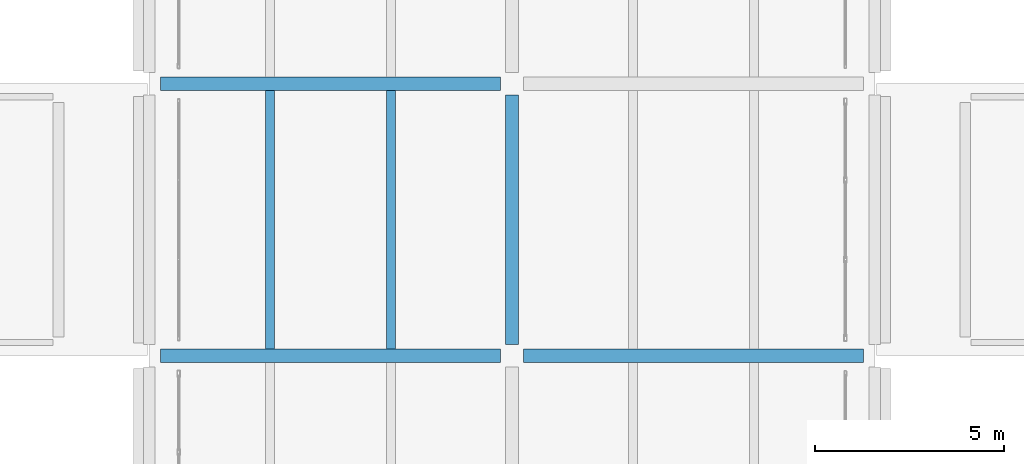
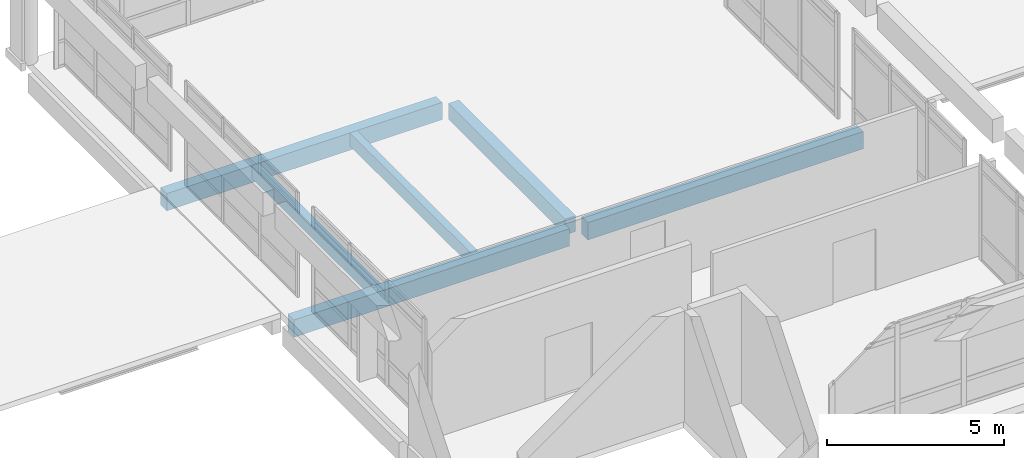
# One storey, part 66 of 180: 6 beams.
"""IFC4 building model written with IfcOpenShell, lengths in metres."""

import ifcopenshell
import ifcopenshell.guid

model = None  # the IFC model being written
_history = None  # IfcOwnerHistory: only IFC2X3 demands one
_inside = {}  # id of a spatial element -> (the spatial element, [elements in it])
_under = {}  # id of a project, library or spatial element -> (it, [spatial elements below it])
_declared = {}  # id of a project -> (the project, [libraries it declares])
_typed = {}  # id of a type object -> (the type object, [elements of that type])
_made_of = {}  # id of a material, layer set ... -> (it, [elements and type objects made of it])


def new_model(schema):
    """Start an empty IFC model of exactly this schema.

    Asked for "IFC4X3", IfcOpenShell would pick the latest addendum, in which some entities
    have other attributes; the version numbers below select the first issue.
    IFC2X3 requires an IfcOwnerHistory on every rooted entity: one is made here for all.
    """
    global model, _history
    if schema == "IFC4X3":
        model = ifcopenshell.file(schema_version=(4, 3, 0, 0))
    else:
        model = ifcopenshell.file(schema=schema)
    _inside.clear()
    _under.clear()
    _declared.clear()
    _typed.clear()
    _made_of.clear()
    _history = None
    if model.schema == "IFC2X3":
        org = make("IfcOrganization", Name="unknown")
        user = make(
            "IfcPersonAndOrganization",
            ThePerson=make("IfcPerson", FamilyName="unknown"),
            TheOrganization=org,
        )
        app = make(
            "IfcApplication",
            ApplicationDeveloper=org,
            Version="unknown",
            ApplicationFullName="unknown",
            ApplicationIdentifier="unknown",
        )
        _history = make(
            "IfcOwnerHistory",
            OwningUser=user,
            OwningApplication=app,
            ChangeAction="ADDED",
            CreationDate=0,
        )
    return model


def make(cls, **values):
    """One entity of the class cls with the attributes given. An attribute that is None is left unset."""
    return model.create_entity(
        cls, **{name: value for name, value in values.items() if value is not None}
    )


def rooted(cls, **values):
    """An entity with a GlobalId (a new one), such as an element, a storey or a relation."""
    return make(cls, GlobalId=ifcopenshell.guid.new(), OwnerHistory=_history, **values)


def si_unit(unit_type, name, prefix=None):
    """IfcSIUnit, for example si_unit("LENGTHUNIT", "METRE", prefix="MILLI")."""
    return make("IfcSIUnit", UnitType=unit_type, Prefix=prefix, Name=name)


def assignment(units):
    """IfcUnitAssignment: the units of a project."""
    return None if units is None else make("IfcUnitAssignment", Units=units)


def point(xyz):
    """IfcCartesianPoint."""
    return None if xyz is None else make("IfcCartesianPoint", Coordinates=xyz)


def direction(xyz):
    """IfcDirection."""
    return None if xyz is None else make("IfcDirection", DirectionRatios=xyz)


def frame(location, z_axis=None, x_axis=None):
    """IfcAxis2Placement3D, a coordinate frame: its origin and axes. An axis left out is left unset."""
    return make(
        "IfcAxis2Placement3D",
        Location=point(location),
        Axis=direction(z_axis),
        RefDirection=direction(x_axis),
    )


def frame_2d(location, x_axis=None):
    """IfcAxis2Placement2D, a coordinate frame in the plane: its origin and x axis."""
    return make(
        "IfcAxis2Placement2D", Location=point(location), RefDirection=direction(x_axis)
    )


def origin():
    """The frame at (0, 0, 0) with its axes left unset."""
    return frame((0.0, 0.0, 0.0))


def origin_2d():
    """The frame at (0, 0) in the plane with its x axis left unset."""
    return frame_2d((0.0, 0.0))


def place(relative_to, where):
    """IfcLocalPlacement: puts the frame where relative to a parent placement (None: the world)."""
    return make(
        "IfcLocalPlacement", PlacementRelTo=relative_to, RelativePlacement=where
    )


def context(
    kind, dimensions, precision=None, world=None, true_north=None, identifier=None
):
    """IfcGeometricRepresentationContext, for example the 3D "Model" context."""
    return make(
        "IfcGeometricRepresentationContext",
        ContextIdentifier=identifier,
        ContextType=kind,
        CoordinateSpaceDimension=dimensions,
        Precision=precision,
        WorldCoordinateSystem=world,
        TrueNorth=true_north,
    )


def subcontext(parent, identifier, kind, view, scale=None):
    """IfcGeometricRepresentationSubContext, for example "Body" below "Model"."""
    return make(
        "IfcGeometricRepresentationSubContext",
        ContextIdentifier=identifier,
        ContextType=kind,
        ParentContext=parent,
        TargetScale=scale,
        TargetView=view,
    )


def project(units=None, contexts=None):
    """IfcProject with its units and contexts."""
    return rooted(
        "IfcProject",
        Name="project",
        RepresentationContexts=contexts,
        UnitsInContext=assignment(units),
    )


def spatial(cls, under=None, at=None, **own):
    """A site, building, storey or space (cls), placed at a placement, below another one or the project."""
    s = rooted(cls, ObjectPlacement=at, **own)
    if under is not None:
        _under.setdefault(under.id(), (under, []))[1].append(s)
    return s


def profile(cls, at=None, kind="AREA", **sizes):
    """A parametric profile (cls). Its sizes go by their IFC names, for example OverallWidth=200.0."""
    return make(cls, ProfileType=kind, Position=at, **sizes)


def rectangle(**sizes):
    """IfcRectangleProfileDef."""
    return profile("IfcRectangleProfileDef", **sizes)


def extrude(swept, where, along, depth):
    """IfcExtrudedAreaSolid: the profile swept, set in the frame where, extruded along a direction by depth."""
    return make(
        "IfcExtrudedAreaSolid",
        SweptArea=swept,
        Position=where,
        ExtrudedDirection=direction(along),
        Depth=depth,
    )


def shape(context_of_items, identifier, shape_type, items):
    """IfcShapeRepresentation: the items that make up one representation, for example the "Body"."""
    return make(
        "IfcShapeRepresentation",
        ContextOfItems=context_of_items,
        RepresentationIdentifier=identifier,
        RepresentationType=shape_type,
        Items=items,
    )


def material(Name=None, Category=None):
    """IfcMaterial."""
    return make("IfcMaterial", Name=Name, Category=Category)


def material_profile(
    of_material, cross_section, Name=None, Category=None, Priority=None
):
    """IfcMaterialProfile: a cross section and its material."""
    return make(
        "IfcMaterialProfile",
        Name=Name,
        Material=of_material,
        Profile=cross_section,
        Priority=Priority,
        Category=Category,
    )


def profile_set(profiles, Name=None, composite=None):
    """IfcMaterialProfileSet."""
    return make(
        "IfcMaterialProfileSet",
        Name=Name,
        MaterialProfiles=profiles,
        CompositeProfile=composite,
    )


def made_of(thing, what):
    """Note that an element or type object is made of a material, layer set ...; save() writes the relation."""
    if what is not None:
        _made_of.setdefault(what.id(), (what, []))[1].append(thing)
    return thing


def type_object(cls, material=None, **own):
    """A type object (cls), such as IfcWallType, which elements share."""
    return made_of(rooted(cls, **own), material)


def element(
    cls,
    number,
    at=None,
    inside=None,
    cuts=None,
    type_object=None,
    material=None,
    context=None,
    identifier="Body",
    shape_type=None,
    held_by="IfcProductDefinitionShape",
    body=None,
    shapes=None,
    **own,
):
    """One element of the class cls, such as IfcWall. Its Tag is "e" and its number.

    at: its placement. inside: the storey or other place that contains it. cuts: it is an
    opening in that element (IfcRelVoidsElement). A single representation is given by context,
    identifier, shape_type and body (its items); several are given by shapes. held_by: the class
    of the entity that holds the representations. save() writes the other relations.
    """
    e = rooted(cls, Tag="e%d" % number, ObjectPlacement=at, **own)
    if body is not None:
        shapes = [shape(context, identifier, shape_type, body)]
    if shapes is not None:
        e.Representation = make(held_by, Representations=shapes)
    if inside is not None:
        _inside.setdefault(inside.id(), (inside, []))[1].append(e)
    if cuts is not None:
        rooted(
            "IfcRelVoidsElement", RelatingBuildingElement=cuts, RelatedOpeningElement=e
        )
    if type_object is not None:
        _typed.setdefault(type_object.id(), (type_object, []))[1].append(e)
    return made_of(e, material)


def aggregate(whole, parts):
    """IfcRelAggregates: a whole, such as a stair, and the parts it consists of."""
    return rooted("IfcRelAggregates", RelatingObject=whole, RelatedObjects=parts)


def save(model, path):
    """Write the relations noted so far, then the file.

    IfcRelAggregates (storeys below a building ...), IfcRelContainedInSpatialStructure (elements
    in a storey), IfcRelDefinesByType, IfcRelAssociatesMaterial and IfcRelDeclares: one each for
    every whole, place, type object, material and project.
    """
    for whole, parts in _under.values():
        aggregate(whole, parts)
    for where, things in _inside.values():
        rooted(
            "IfcRelContainedInSpatialStructure",
            RelatedElements=things,
            RelatingStructure=where,
        )
    for kind, things in _typed.values():
        rooted("IfcRelDefinesByType", RelatedObjects=things, RelatingType=kind)
    for what, things in _made_of.values():
        rooted("IfcRelAssociatesMaterial", RelatedObjects=things, RelatingMaterial=what)
    for by, libraries in _declared.values():
        rooted("IfcRelDeclares", RelatingContext=by, RelatedDefinitions=libraries)
    model.write(path)


model = new_model("IFC4")

# Units and contexts
model_context = context("Model", 3, precision=1e-05, world=origin(), true_north=direction((0.0, 1.0)))
body_context = subcontext(model_context, "Body", "Model", "MODEL_VIEW")
ifc_project = project(units=[si_unit("LENGTHUNIT", "METRE"), si_unit("AREAUNIT", "SQUARE_METRE"), si_unit("VOLUMEUNIT", "CUBIC_METRE"), si_unit("PLANEANGLEUNIT", "RADIAN"), si_unit("MASSUNIT", "GRAM", prefix="KILO")], contexts=[model_context])

# Site, building, storey
site_placement = place(None, origin())
site = spatial("IfcSite", under=ifc_project, at=site_placement, CompositionType="ELEMENT")
building_placement = place(site_placement, origin())
building = spatial("IfcBuilding", under=site, at=building_placement, Name="Asteropetra Specialist Clinic", CompositionType="ELEMENT")
storey_placement = place(building_placement, frame((0.0, 0.0, 4.419921875)))
storey = spatial("IfcBuildingStorey", under=building, at=storey_placement, Name="L01", CompositionType="ELEMENT", Elevation=4.419921875)

# Beams
ifc_material_1 = material(Name="Concrete C35/45", Category="concrete")
ifc_material_profile_1 = material_profile(ifc_material_1, rectangle(XDim=0.35009765625, YDim=0.550048828125, at=origin_2d()), Name="RCB 350x550")
ifc_profile_set_1 = profile_set([ifc_material_profile_1], Name="Concrete C35/45")
beam_type_1 = type_object("IfcBeamType", Name="BM-RC350x550", PredefinedType="BEAM", material=ifc_profile_set_1)
beam_placement = place(storey_placement, frame((86.39990234375, 48.300048828125, -0.534912109375), z_axis=(0.0, 1.0, 0.0), x_axis=(-1.0, 0.0, 0.0)))
element("IfcBeam", 1, at=beam_placement, inside=storey, type_object=beam_type_1, Name="Beam BBM10-0787", PredefinedType="BEAM", context=body_context, shape_type="SweptSolid", body=[
    extrude(rectangle(XDim=0.35009765625, YDim=0.550048828125, at=origin_2d()), origin(), (0.0, 0.0, 1.0), 6.599853515625),
])
ifc_material_2 = material(Name="Concrete C35/45", Category="concrete")
ifc_material_profile_2 = material_profile(ifc_material_2, rectangle(XDim=0.35009765625, YDim=0.60009765625, at=origin_2d()), Name="RCB 350x600")
ifc_profile_set_2 = profile_set([ifc_material_profile_2], Name="Concrete C35/45")
beam_type_2 = type_object("IfcBeamType", Name="BM-RC350x600", PredefinedType="BEAM", material=ifc_profile_set_2)
for number, where, z_axis, x_axis, name in (
    (2, (77.10009765625, 48.0, -0.559814453125), (1.0, 0.0, 0.0), (0.0, 1.0, 0.0), "Beam BBM09-0768"),
    (3, (86.699951171875, 48.0, -0.559814453125), (1.0, 0.0, 0.0), (0.0, 1.0, 0.0), "Beam BBM09-0769"),
    (4, (77.10009765625, 55.199951171875, -0.559814453125), (1.0, 0.0, 0.0), (0.0, 1.0, 0.0), "Beam BBM09-0770"),
):
    element("IfcBeam", number, at=place(storey_placement, frame(where, z_axis=z_axis, x_axis=x_axis)), inside=storey, type_object=beam_type_2, Name=name, PredefinedType="BEAM", context=body_context, shape_type="SweptSolid", body=[
        extrude(rectangle(XDim=0.35009765625, YDim=0.60009765625, at=origin_2d()), origin(), (0.0, 0.0, 1.0), 9.0),
    ])
ifc_material_3 = material(Name="Concrete C35/45", Category="concrete")
ifc_material_profile_3 = material_profile(ifc_material_3, rectangle(XDim=0.239990234375, YDim=0.449951171875, at=origin_2d()), Name="RCJ 240x450")
ifc_profile_set_3 = profile_set([ifc_material_profile_3], Name="Concrete C35/45")
beam_type_3 = type_object("IfcBeamType", Name="JST-RC240x450", PredefinedType="JOIST", material=ifc_profile_set_3)
for number, where, z_axis, x_axis, name in (
    (5, (80.0, 48.175048828125, -0.48486328125), (0.0, 1.0, 0.0), (-1.0, 0.0, 0.0), "Joist JJST03-0789"),
    (6, (83.199951171875, 48.175048828125, -0.48486328125), (0.0, 1.0, 0.0), (-1.0, 0.0, 0.0), "Joist JJST03-0790"),
):
    element("IfcBeam", number, at=place(storey_placement, frame(where, z_axis=z_axis, x_axis=x_axis)), inside=storey, type_object=beam_type_3, Name=name, PredefinedType="JOIST", context=body_context, shape_type="SweptSolid", body=[
        extrude(rectangle(XDim=0.239990234375, YDim=0.449951171875, at=origin_2d()), origin(), (0.0, 0.0, 1.0), 6.849853515625),
    ])

save(model, "model.ifc")
